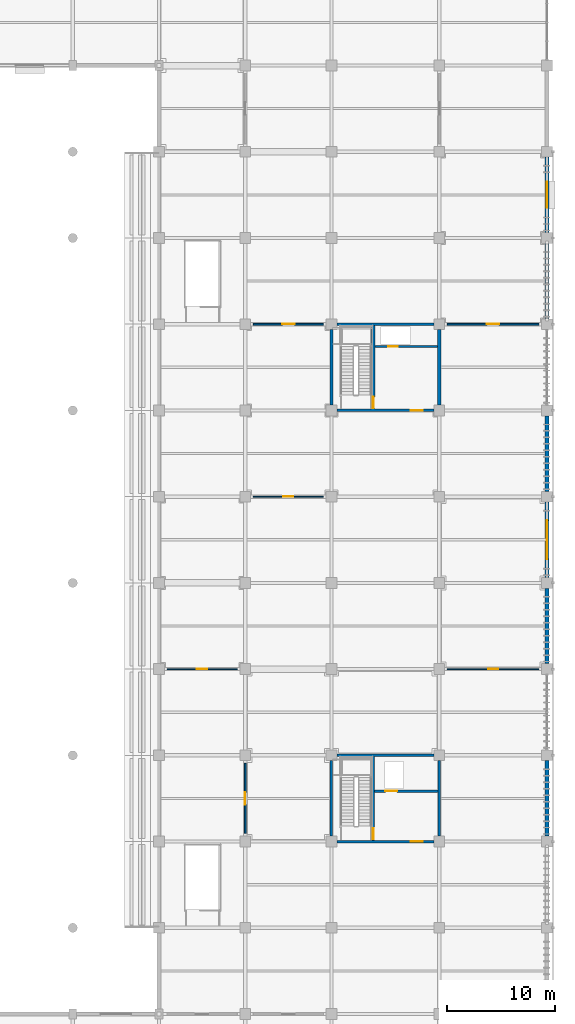
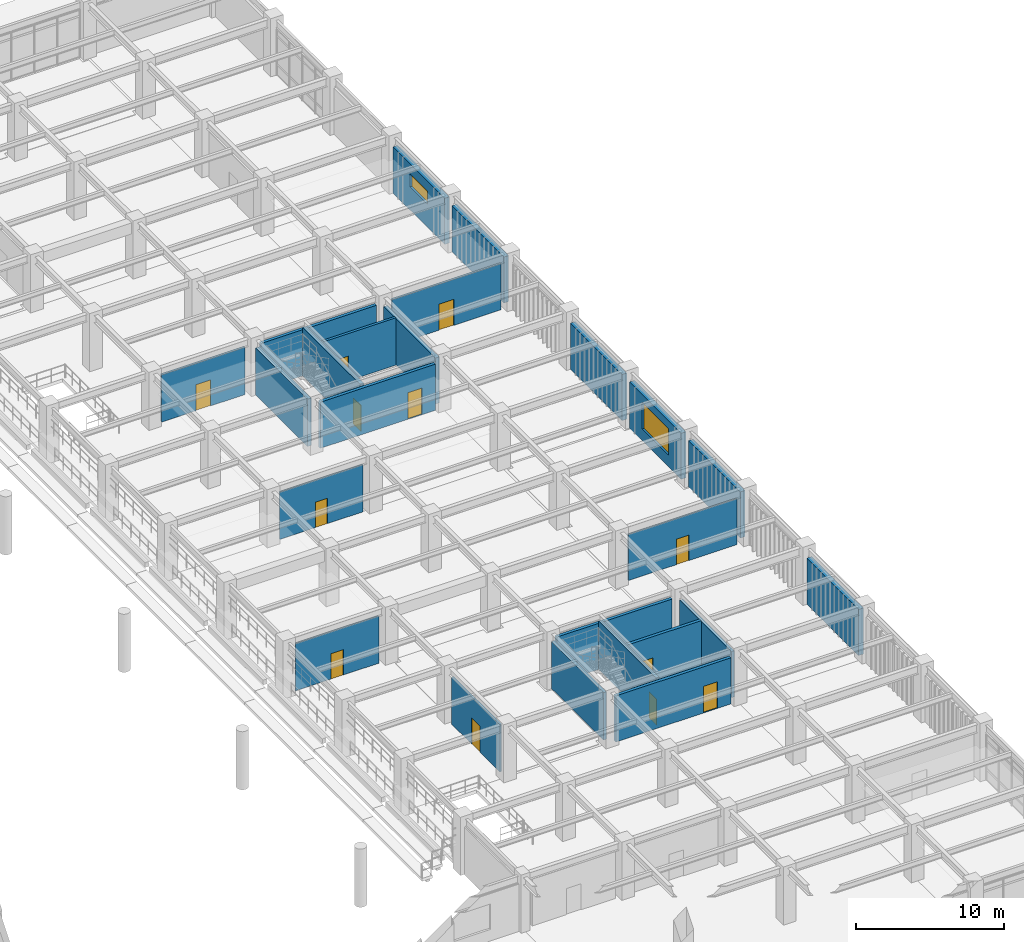
# One storey, part 80 of 117: 24 walls, 12 doors, 2 windows, 14 openings.
"""IFC4 building model written with IfcOpenShell, lengths in metres."""

import ifcopenshell
import ifcopenshell.guid

model = None  # the IFC model being written
_history = None  # IfcOwnerHistory: only IFC2X3 demands one
_inside = {}  # id of a spatial element -> (the spatial element, [elements in it])
_under = {}  # id of a project, library or spatial element -> (it, [spatial elements below it])
_declared = {}  # id of a project -> (the project, [libraries it declares])
_typed = {}  # id of a type object -> (the type object, [elements of that type])
_made_of = {}  # id of a material, layer set ... -> (it, [elements and type objects made of it])


def new_model(schema):
    """Start an empty IFC model of exactly this schema.

    Asked for "IFC4X3", IfcOpenShell would pick the latest addendum, in which some entities
    have other attributes; the version numbers below select the first issue.
    IFC2X3 requires an IfcOwnerHistory on every rooted entity: one is made here for all.
    """
    global model, _history
    if schema == "IFC4X3":
        model = ifcopenshell.file(schema_version=(4, 3, 0, 0))
    else:
        model = ifcopenshell.file(schema=schema)
    _inside.clear()
    _under.clear()
    _declared.clear()
    _typed.clear()
    _made_of.clear()
    _history = None
    if model.schema == "IFC2X3":
        org = make("IfcOrganization", Name="unknown")
        user = make(
            "IfcPersonAndOrganization",
            ThePerson=make("IfcPerson", FamilyName="unknown"),
            TheOrganization=org,
        )
        app = make(
            "IfcApplication",
            ApplicationDeveloper=org,
            Version="unknown",
            ApplicationFullName="unknown",
            ApplicationIdentifier="unknown",
        )
        _history = make(
            "IfcOwnerHistory",
            OwningUser=user,
            OwningApplication=app,
            ChangeAction="ADDED",
            CreationDate=0,
        )
    return model


def make(cls, **values):
    """One entity of the class cls with the attributes given. An attribute that is None is left unset."""
    return model.create_entity(
        cls, **{name: value for name, value in values.items() if value is not None}
    )


def rooted(cls, **values):
    """An entity with a GlobalId (a new one), such as an element, a storey or a relation."""
    return make(cls, GlobalId=ifcopenshell.guid.new(), OwnerHistory=_history, **values)


def si_unit(unit_type, name, prefix=None):
    """IfcSIUnit, for example si_unit("LENGTHUNIT", "METRE", prefix="MILLI")."""
    return make("IfcSIUnit", UnitType=unit_type, Prefix=prefix, Name=name)


def assignment(units):
    """IfcUnitAssignment: the units of a project."""
    return None if units is None else make("IfcUnitAssignment", Units=units)


def point(xyz):
    """IfcCartesianPoint."""
    return None if xyz is None else make("IfcCartesianPoint", Coordinates=xyz)


def direction(xyz):
    """IfcDirection."""
    return None if xyz is None else make("IfcDirection", DirectionRatios=xyz)


def frame(location, z_axis=None, x_axis=None):
    """IfcAxis2Placement3D, a coordinate frame: its origin and axes. An axis left out is left unset."""
    return make(
        "IfcAxis2Placement3D",
        Location=point(location),
        Axis=direction(z_axis),
        RefDirection=direction(x_axis),
    )


def frame_2d(location, x_axis=None):
    """IfcAxis2Placement2D, a coordinate frame in the plane: its origin and x axis."""
    return make(
        "IfcAxis2Placement2D", Location=point(location), RefDirection=direction(x_axis)
    )


def origin():
    """The frame at (0, 0, 0) with its axes left unset."""
    return frame((0.0, 0.0, 0.0))


def place(relative_to, where):
    """IfcLocalPlacement: puts the frame where relative to a parent placement (None: the world)."""
    return make(
        "IfcLocalPlacement", PlacementRelTo=relative_to, RelativePlacement=where
    )


def context(
    kind, dimensions, precision=None, world=None, true_north=None, identifier=None
):
    """IfcGeometricRepresentationContext, for example the 3D "Model" context."""
    return make(
        "IfcGeometricRepresentationContext",
        ContextIdentifier=identifier,
        ContextType=kind,
        CoordinateSpaceDimension=dimensions,
        Precision=precision,
        WorldCoordinateSystem=world,
        TrueNorth=true_north,
    )


def subcontext(parent, identifier, kind, view, scale=None):
    """IfcGeometricRepresentationSubContext, for example "Body" below "Model"."""
    return make(
        "IfcGeometricRepresentationSubContext",
        ContextIdentifier=identifier,
        ContextType=kind,
        ParentContext=parent,
        TargetScale=scale,
        TargetView=view,
    )


def project(units=None, contexts=None):
    """IfcProject with its units and contexts."""
    return rooted(
        "IfcProject",
        Name="project",
        RepresentationContexts=contexts,
        UnitsInContext=assignment(units),
    )


def spatial(cls, under=None, at=None, **own):
    """A site, building, storey or space (cls), placed at a placement, below another one or the project."""
    s = rooted(cls, ObjectPlacement=at, **own)
    if under is not None:
        _under.setdefault(under.id(), (under, []))[1].append(s)
    return s


def profile(cls, at=None, kind="AREA", **sizes):
    """A parametric profile (cls). Its sizes go by their IFC names, for example OverallWidth=200.0."""
    return make(cls, ProfileType=kind, Position=at, **sizes)


def rectangle(**sizes):
    """IfcRectangleProfileDef."""
    return profile("IfcRectangleProfileDef", **sizes)


def extrude(swept, where, along, depth):
    """IfcExtrudedAreaSolid: the profile swept, set in the frame where, extruded along a direction by depth."""
    return make(
        "IfcExtrudedAreaSolid",
        SweptArea=swept,
        Position=where,
        ExtrudedDirection=direction(along),
        Depth=depth,
    )


def shape(context_of_items, identifier, shape_type, items):
    """IfcShapeRepresentation: the items that make up one representation, for example the "Body"."""
    return make(
        "IfcShapeRepresentation",
        ContextOfItems=context_of_items,
        RepresentationIdentifier=identifier,
        RepresentationType=shape_type,
        Items=items,
    )


def material(Name=None, Category=None):
    """IfcMaterial."""
    return make("IfcMaterial", Name=Name, Category=Category)


def layer(
    of_material, thickness, ventilated=None, Name=None, Category=None, Priority=None
):
    """IfcMaterialLayer: one layer of a wall or slab, of a material (None: an air gap)."""
    return make(
        "IfcMaterialLayer",
        Material=of_material,
        LayerThickness=thickness,
        IsVentilated=ventilated,
        Name=Name,
        Category=Category,
        Priority=Priority,
    )


def layer_set(layers, Name=None):
    """IfcMaterialLayerSet."""
    return make("IfcMaterialLayerSet", MaterialLayers=layers, LayerSetName=Name)


def made_of(thing, what):
    """Note that an element or type object is made of a material, layer set ...; save() writes the relation."""
    if what is not None:
        _made_of.setdefault(what.id(), (what, []))[1].append(thing)
    return thing


def type_object(cls, material=None, **own):
    """A type object (cls), such as IfcWallType, which elements share."""
    return made_of(rooted(cls, **own), material)


def element(
    cls,
    number,
    at=None,
    inside=None,
    cuts=None,
    type_object=None,
    material=None,
    context=None,
    identifier="Body",
    shape_type=None,
    held_by="IfcProductDefinitionShape",
    body=None,
    shapes=None,
    **own,
):
    """One element of the class cls, such as IfcWall. Its Tag is "e" and its number.

    at: its placement. inside: the storey or other place that contains it. cuts: it is an
    opening in that element (IfcRelVoidsElement). A single representation is given by context,
    identifier, shape_type and body (its items); several are given by shapes. held_by: the class
    of the entity that holds the representations. save() writes the other relations.
    """
    e = rooted(cls, Tag="e%d" % number, ObjectPlacement=at, **own)
    if body is not None:
        shapes = [shape(context, identifier, shape_type, body)]
    if shapes is not None:
        e.Representation = make(held_by, Representations=shapes)
    if inside is not None:
        _inside.setdefault(inside.id(), (inside, []))[1].append(e)
    if cuts is not None:
        rooted(
            "IfcRelVoidsElement", RelatingBuildingElement=cuts, RelatedOpeningElement=e
        )
    if type_object is not None:
        _typed.setdefault(type_object.id(), (type_object, []))[1].append(e)
    return made_of(e, material)


def fill(opening, filler):
    """IfcRelFillsElement: the door or window that sits in an opening."""
    return rooted(
        "IfcRelFillsElement",
        RelatingOpeningElement=opening,
        RelatedBuildingElement=filler,
    )


def aggregate(whole, parts):
    """IfcRelAggregates: a whole, such as a stair, and the parts it consists of."""
    return rooted("IfcRelAggregates", RelatingObject=whole, RelatedObjects=parts)


def save(model, path):
    """Write the relations noted so far, then the file.

    IfcRelAggregates (storeys below a building ...), IfcRelContainedInSpatialStructure (elements
    in a storey), IfcRelDefinesByType, IfcRelAssociatesMaterial and IfcRelDeclares: one each for
    every whole, place, type object, material and project.
    """
    for whole, parts in _under.values():
        aggregate(whole, parts)
    for where, things in _inside.values():
        rooted(
            "IfcRelContainedInSpatialStructure",
            RelatedElements=things,
            RelatingStructure=where,
        )
    for kind, things in _typed.values():
        rooted("IfcRelDefinesByType", RelatedObjects=things, RelatingType=kind)
    for what, things in _made_of.values():
        rooted("IfcRelAssociatesMaterial", RelatedObjects=things, RelatingMaterial=what)
    for by, libraries in _declared.values():
        rooted("IfcRelDeclares", RelatingContext=by, RelatedDefinitions=libraries)
    model.write(path)


model = new_model("IFC4")

# Units and contexts
model_context = context("Model", 3, precision=1e-05, world=origin(), true_north=direction((0.0, 1.0)))
body_context = subcontext(model_context, "Body", "Model", "MODEL_VIEW")
ifc_project = project(units=[si_unit("LENGTHUNIT", "METRE"), si_unit("AREAUNIT", "SQUARE_METRE"), si_unit("VOLUMEUNIT", "CUBIC_METRE"), si_unit("PLANEANGLEUNIT", "RADIAN"), si_unit("MASSUNIT", "GRAM", prefix="KILO")], contexts=[model_context])

# Site, building, storey
site_placement = place(None, origin())
site = spatial("IfcSite", under=ifc_project, at=site_placement, CompositionType="ELEMENT")
building_placement = place(site_placement, origin())
building = spatial("IfcBuilding", under=site, at=building_placement, Name="Haebicheon Civic Stadium", CompositionType="ELEMENT")
storey_placement = place(building_placement, frame((0.0, 0.0, 4.800048828125)))
storey = spatial("IfcBuildingStorey", under=building, at=storey_placement, Name="L02", CompositionType="ELEMENT", Elevation=4.800048828125)

# Wall, opening, door
ifc_material_1 = material(Name="Concrete C40/50", Category="concrete")
ifc_layer_1 = layer(ifc_material_1, 0.239990234375, Name="Concrete C40/50")
ifc_layer_set_1 = layer_set([ifc_layer_1], Name="Concrete C40/50")
wall_type_1 = type_object("IfcWallType", Name="CW-SHR-240", PredefinedType="SHEAR", material=ifc_layer_set_1)
wall_1_placement = place(storey_placement, frame((216.5, 64.0, 0.0), z_axis=(0.0, 0.0, 1.0), x_axis=(1.0, 0.0, 0.0)))
wall_1 = element("IfcWall", 1, at=wall_1_placement, inside=storey, type_object=wall_type_1, material=ifc_layer_set_1, Name="KC-12 L02 south core shear wall", PredefinedType="SHEAR", context=body_context, shape_type="SweptSolid", body=[
    extrude(rectangle(XDim=9.0, YDim=0.239990234375, at=frame_2d((4.5, 0.0))), origin(), (0.0, 0.0, 1.0), 3.81005859375),
])
opening_1_placement = place(wall_1_placement, frame((6.85009765625, 0.0, 0.0)))
opening_1 = element("IfcOpeningElement", 2, at=opening_1_placement, cuts=wall_1, Name="Opening D-L02-KC-12-LOB", PredefinedType="OPENING", context=body_context, shape_type="SweptSolid", body=[
    extrude(rectangle(XDim=1.10009765625, YDim=2.199951171875, at=frame_2d((0.550048828125, 1.10009765625))), frame((0.0, 0.1298828125, 0.0), z_axis=(0.0, -1.0, 0.0), x_axis=(1.0, 0.0, 0.0)), (0.0, 0.0, 1.0), 0.260009765625),
])
ifc_material_2 = material(Name="Galvanised painted steel SM355", Category="steel")
door_type_1 = type_object("IfcDoorType", Name="ID-FD-1100", OperationType="NOTDEFINED", PredefinedType="DOOR", material=ifc_material_2)
door_1_placement = place(opening_1_placement, origin())
door_1 = element("IfcDoor", 3, at=door_1_placement, inside=storey, type_object=door_type_1, material=ifc_material_2, Name="L02 KC-12 lobby fire door", OperationType="SINGLE_SWING_LEFT", OverallHeight=2.199951171875, OverallWidth=1.10009765625, PredefinedType="DOOR", context=body_context, shape_type="SweptSolid", body=[
    extrude(rectangle(XDim=1.10009765625, YDim=2.199951171875, at=frame_2d((0.550048828125, 1.10009765625))), frame((0.0, 0.02490234375, 0.0), z_axis=(0.0, -1.0, 0.0), x_axis=(1.0, 0.0, 0.0)), (0.0, 0.0, 1.0), 0.050048828125),
])
fill(opening_1, door_1)

# Walls
wall_2_placement = place(storey_placement, frame((216.5, 72.0, 0.0), z_axis=(0.0, 0.0, 1.0), x_axis=(1.0, 0.0, 0.0)))
element("IfcWall", 4, at=wall_2_placement, inside=storey, type_object=wall_type_1, material=ifc_layer_set_1, Name="KC-12 L02 north core shear wall", PredefinedType="SHEAR", context=body_context, shape_type="SweptSolid", body=[
    extrude(rectangle(XDim=9.0, YDim=0.239990234375, at=frame_2d((4.5, 0.0))), origin(), (0.0, 0.0, 1.0), 3.81005859375),
])
wall_3_placement = place(storey_placement, frame((216.0, 64.5, 0.0), z_axis=(0.0, 0.0, 1.0), x_axis=(0.0, 1.0, 0.0)))
element("IfcWall", 5, at=wall_3_placement, inside=storey, type_object=wall_type_1, material=ifc_layer_set_1, Name="KC-12 L02 west core shear wall", PredefinedType="SHEAR", context=body_context, shape_type="SweptSolid", body=[
    extrude(rectangle(XDim=7.0, YDim=0.239990234375, at=frame_2d((3.5, 0.0))), origin(), (0.0, 0.0, 1.0), 3.909912109375),
])
wall_4_placement = place(storey_placement, frame((226.0, 64.5, 0.0), z_axis=(0.0, 0.0, 1.0), x_axis=(0.0, 1.0, 0.0)))
element("IfcWall", 6, at=wall_4_placement, inside=storey, type_object=wall_type_1, material=ifc_layer_set_1, Name="KC-12 L02 east core shear wall", PredefinedType="SHEAR", context=body_context, shape_type="SweptSolid", body=[
    extrude(rectangle(XDim=7.0, YDim=0.239990234375, at=frame_2d((3.5, 0.0))), origin(), (0.0, 0.0, 1.0), 3.81005859375),
])

# Wall, opening, door
wall_5_placement = place(storey_placement, frame((219.8798828125, 64.1201171875, 0.0), z_axis=(0.0, 0.0, 1.0), x_axis=(0.0, 1.0, 0.0)))
wall_5 = element("IfcWall", 7, at=wall_5_placement, inside=storey, type_object=wall_type_1, material=ifc_layer_set_1, Name="KC-12 L02 stair-lobby dividing shear wall", PredefinedType="SHEAR", context=body_context, shape_type="SweptSolid", body=[
    extrude(rectangle(XDim=7.759765625, YDim=0.239990234375, at=frame_2d((3.8798828125, 0.0))), origin(), (0.0, 0.0, 1.0), 4.010009765625),
])
opening_2_placement = place(wall_5_placement, frame((0.080078125, 0.0, 0.0)))
opening_2 = element("IfcOpeningElement", 8, at=opening_2_placement, cuts=wall_5, Name="Opening D-L02-KC-12-STR", PredefinedType="OPENING", context=body_context, shape_type="SweptSolid", body=[
    extrude(rectangle(XDim=1.050048828125, YDim=2.14990234375, at=frame_2d((0.52490234375, 1.074951171875))), frame((0.0, 0.1298828125, 0.0), z_axis=(0.0, -1.0, 0.0), x_axis=(1.0, 0.0, 0.0)), (0.0, 0.0, 1.0), 0.260009765625),
])
ifc_material_3 = material(Name="Galvanised painted steel SM355", Category="steel")
door_type_2 = type_object("IfcDoorType", Name="ID-FD-1050", OperationType="NOTDEFINED", PredefinedType="DOOR", material=ifc_material_3)
door_2_placement = place(opening_2_placement, origin())
door_2 = element("IfcDoor", 9, at=door_2_placement, inside=storey, type_object=door_type_2, material=ifc_material_3, Name="L02 ST-12 stairwell escape door", OperationType="SINGLE_SWING_RIGHT", OverallHeight=2.14990234375, OverallWidth=1.050048828125, PredefinedType="DOOR", context=body_context, shape_type="SweptSolid", body=[
    extrude(rectangle(XDim=1.050048828125, YDim=2.14990234375, at=frame_2d((0.52490234375, 1.074951171875))), frame((0.0, 0.02490234375, 0.0), z_axis=(0.0, -1.0, 0.0), x_axis=(1.0, 0.0, 0.0)), (0.0, 0.0, 1.0), 0.050048828125),
])
fill(opening_2, door_2)

wall_6_placement = place(storey_placement, frame((220.0, 68.679931640625, 0.0), z_axis=(0.0, 0.0, 1.0), x_axis=(1.0, 0.0, 0.0)))
wall_6 = element("IfcWall", 10, at=wall_6_placement, inside=storey, type_object=wall_type_1, material=ifc_layer_set_1, Name="KC-12 L02 lift shaft front wall", PredefinedType="SHEAR", context=body_context, shape_type="SweptSolid", body=[
    extrude(rectangle(XDim=5.8798828125, YDim=0.239990234375, at=frame_2d((2.93994140625, 0.0))), origin(), (0.0, 0.0, 1.0), 3.909912109375),
])
opening_3_placement = place(wall_6_placement, frame((1.0, 0.0, 0.0)))
opening_3 = element("IfcOpeningElement", 11, at=opening_3_placement, cuts=wall_6, Name="Opening LD-09-L02", PredefinedType="OPENING", context=body_context, shape_type="SweptSolid", body=[
    extrude(rectangle(XDim=1.10009765625, YDim=2.14990234375, at=frame_2d((0.550048828125, 1.074951171875))), frame((0.0, 0.1298828125, 0.0), z_axis=(0.0, -1.0, 0.0), x_axis=(1.0, 0.0, 0.0)), (0.0, 0.0, 1.0), 0.260009765625),
])
ifc_material_4 = material(Name="Stainless steel 316", Category="steel")
door_type_3 = type_object("IfcDoorType", Name="ID-LD-1100", OperationType="NOTDEFINED", PredefinedType="DOOR", material=ifc_material_4)
door_3_placement = place(opening_3_placement, origin())
door_3 = element("IfcDoor", 12, at=door_3_placement, inside=storey, type_object=door_type_3, material=ifc_material_4, Name="LF-09 lift landing sliding door L02", OperationType="SLIDING_TO_LEFT", OverallHeight=2.14990234375, OverallWidth=1.10009765625, PredefinedType="DOOR", context=body_context, shape_type="SweptSolid", body=[
    extrude(rectangle(XDim=1.10009765625, YDim=2.14990234375, at=frame_2d((0.550048828125, 1.074951171875))), frame((0.0, 0.02490234375, 0.0), z_axis=(0.0, -1.0, 0.0), x_axis=(1.0, 0.0, 0.0)), (0.0, 0.0, 1.0), 0.050048828125),
])
fill(opening_3, door_3)

wall_7_placement = place(storey_placement, frame((216.5, 104.0, 0.0), z_axis=(0.0, 0.0, 1.0), x_axis=(1.0, 0.0, 0.0)))
wall_7 = element("IfcWall", 13, at=wall_7_placement, inside=storey, type_object=wall_type_1, material=ifc_layer_set_1, Name="KC-13 L02 south core shear wall", PredefinedType="SHEAR", context=body_context, shape_type="SweptSolid", body=[
    extrude(rectangle(XDim=9.0, YDim=0.239990234375, at=frame_2d((4.5, 0.0))), origin(), (0.0, 0.0, 1.0), 3.81005859375),
])
opening_4_placement = place(wall_7_placement, frame((6.85009765625, 0.0, 0.0)))
opening_4 = element("IfcOpeningElement", 14, at=opening_4_placement, cuts=wall_7, Name="Opening D-L02-KC-13-LOB", PredefinedType="OPENING", context=body_context, shape_type="SweptSolid", body=[
    extrude(rectangle(XDim=1.10009765625, YDim=2.199951171875, at=frame_2d((0.550048828125, 1.10009765625))), frame((0.0, 0.1298828125, 0.0), z_axis=(0.0, -1.0, 0.0), x_axis=(1.0, 0.0, 0.0)), (0.0, 0.0, 1.0), 0.260009765625),
])
door_4_placement = place(opening_4_placement, origin())
door_4 = element("IfcDoor", 15, at=door_4_placement, inside=storey, type_object=door_type_1, material=ifc_material_2, Name="L02 KC-13 lobby fire door", OperationType="SINGLE_SWING_RIGHT", OverallHeight=2.199951171875, OverallWidth=1.10009765625, PredefinedType="DOOR", context=body_context, shape_type="SweptSolid", body=[
    extrude(rectangle(XDim=1.10009765625, YDim=2.199951171875, at=frame_2d((0.550048828125, 1.10009765625))), frame((0.0, 0.02490234375, 0.0), z_axis=(0.0, -1.0, 0.0), x_axis=(1.0, 0.0, 0.0)), (0.0, 0.0, 1.0), 0.050048828125),
])
fill(opening_4, door_4)

# Walls
wall_8_placement = place(storey_placement, frame((216.5, 112.0, 0.0), z_axis=(0.0, 0.0, 1.0), x_axis=(1.0, 0.0, 0.0)))
element("IfcWall", 16, at=wall_8_placement, inside=storey, type_object=wall_type_1, material=ifc_layer_set_1, Name="KC-13 L02 north core shear wall", PredefinedType="SHEAR", context=body_context, shape_type="SweptSolid", body=[
    extrude(rectangle(XDim=9.0, YDim=0.239990234375, at=frame_2d((4.5, 0.0))), origin(), (0.0, 0.0, 1.0), 3.81005859375),
])
ifc_material_5 = material(Name="Concrete C40/50", Category="concrete")
ifc_layer_2 = layer(ifc_material_5, 0.300048828125, Name="Concrete C40/50")
ifc_layer_set_2 = layer_set([ifc_layer_2], Name="Concrete C40/50")
wall_type_2 = type_object("IfcWallType", Name="CW-SHR-300", PredefinedType="SHEAR", material=ifc_layer_set_2)
wall_9_placement = place(storey_placement, frame((216.0, 104.5, 0.0), z_axis=(0.0, 0.0, 1.0), x_axis=(0.0, 1.0, 0.0)))
element("IfcWall", 17, at=wall_9_placement, inside=storey, type_object=wall_type_2, material=ifc_layer_set_2, Name="KC-13 L02 west core shear wall", PredefinedType="SHEAR", context=body_context, shape_type="SweptSolid", body=[
    extrude(rectangle(XDim=7.0, YDim=0.300048828125, at=frame_2d((3.5, 0.0))), origin(), (0.0, 0.0, 1.0), 3.909912109375),
])
wall_10_placement = place(storey_placement, frame((226.0, 104.5, 0.0), z_axis=(0.0, 0.0, 1.0), x_axis=(0.0, 1.0, 0.0)))
element("IfcWall", 18, at=wall_10_placement, inside=storey, type_object=wall_type_2, material=ifc_layer_set_2, Name="KC-13 L02 east core shear wall", PredefinedType="SHEAR", context=body_context, shape_type="SweptSolid", body=[
    extrude(rectangle(XDim=7.0, YDim=0.300048828125, at=frame_2d((3.5, 0.0))), origin(), (0.0, 0.0, 1.0), 3.81005859375),
])

# Wall, opening, door
wall_11_placement = place(storey_placement, frame((219.8798828125, 104.1201171875, 0.0), z_axis=(0.0, 0.0, 1.0), x_axis=(0.0, 1.0, 0.0)))
wall_11 = element("IfcWall", 19, at=wall_11_placement, inside=storey, type_object=wall_type_2, material=ifc_layer_set_2, Name="KC-13 L02 stair-lobby dividing shear wall", PredefinedType="SHEAR", context=body_context, shape_type="SweptSolid", body=[
    extrude(rectangle(XDim=7.759765625, YDim=0.300048828125, at=frame_2d((3.8798828125, 0.0))), origin(), (0.0, 0.0, 1.0), 4.010009765625),
])
opening_5_placement = place(wall_11_placement, frame((0.080078125, 0.0, 0.0)))
opening_5 = element("IfcOpeningElement", 20, at=opening_5_placement, cuts=wall_11, Name="Opening D-L02-KC-13-STR", PredefinedType="OPENING", context=body_context, shape_type="SweptSolid", body=[
    extrude(rectangle(XDim=1.050048828125, YDim=2.14990234375, at=frame_2d((0.52490234375, 1.074951171875))), frame((0.0, 0.159912109375, 0.0), z_axis=(0.0, -1.0, 0.0), x_axis=(1.0, 0.0, 0.0)), (0.0, 0.0, 1.0), 0.320068359375),
])
door_5_placement = place(opening_5_placement, origin())
door_5 = element("IfcDoor", 21, at=door_5_placement, inside=storey, type_object=door_type_2, material=ifc_material_3, Name="L02 ST-13 stairwell escape door", OperationType="SINGLE_SWING_LEFT", OverallHeight=2.14990234375, OverallWidth=1.050048828125, PredefinedType="DOOR", context=body_context, shape_type="SweptSolid", body=[
    extrude(rectangle(XDim=1.050048828125, YDim=2.14990234375, at=frame_2d((0.52490234375, 1.074951171875))), frame((0.0, 0.02490234375, 0.0), z_axis=(0.0, -1.0, 0.0), x_axis=(1.0, 0.0, 0.0)), (0.0, 0.0, 1.0), 0.050048828125),
])
fill(opening_5, door_5)

# Walls
ifc_material_6 = material(Name="Concrete C40/50", Category="concrete")
ifc_layer_3 = layer(ifc_material_6, 0.3798828125, Name="Concrete C40/50")
ifc_layer_set_3 = layer_set([ifc_layer_3], Name="Concrete C40/50")
wall_type_3 = type_object("IfcWallType", Name="EW-BM-380", PredefinedType="SOLIDWALL", material=ifc_layer_set_3)
for number, where, z_axis, x_axis, name in (
    (22, (236.0, 64.5, 0.0), (0.0, 0.0, 1.0), (0.0, 1.0, 0.0), "L02 board-marked concrete facade wall 29-08-E"),
    (23, (236.0, 80.5, 0.0), (0.0, 0.0, 1.0), (0.0, 1.0, 0.0), "L02 board-marked concrete facade wall 29-10-E"),
):
    element("IfcWall", number, at=place(storey_placement, frame(where, z_axis=z_axis, x_axis=x_axis)), inside=storey, type_object=wall_type_3, material=ifc_layer_set_3, Name=name, PredefinedType="SOLIDWALL", context=body_context, shape_type="SweptSolid", body=[
        extrude(rectangle(XDim=7.0, YDim=0.3798828125, at=frame_2d((3.5, 0.0))), origin(), (0.0, 0.0, 1.0), 3.81005859375),
    ])

# Wall, opening, window
wall_12_placement = place(storey_placement, frame((236.0, 88.5, 0.0), z_axis=(0.0, 0.0, 1.0), x_axis=(0.0, 1.0, 0.0)))
wall_12 = element("IfcWall", 24, at=wall_12_placement, inside=storey, type_object=wall_type_3, material=ifc_layer_set_3, Name="L02 board-marked concrete facade wall 29-11-E", PredefinedType="SOLIDWALL", context=body_context, shape_type="SweptSolid", body=[
    extrude(rectangle(XDim=7.0, YDim=0.3798828125, at=frame_2d((3.5, 0.0))), origin(), (0.0, 0.0, 1.0), 3.81005859375),
])
opening_6_placement = place(wall_12_placement, frame((1.699951171875, 0.0, 0.949951171875)))
opening_6 = element("IfcOpeningElement", 25, at=opening_6_placement, cuts=wall_12, Name="Opening WIN-360x220", PredefinedType="OPENING", context=body_context, shape_type="SweptSolid", body=[
    extrude(rectangle(XDim=3.60009765625, YDim=2.199951171875, at=frame_2d((1.800048828125, 1.10009765625))), frame((0.0, 0.199951171875, 0.0), z_axis=(0.0, -1.0, 0.0), x_axis=(1.0, 0.0, 0.0)), (0.0, 0.0, 1.0), 0.39990234375),
])
ifc_material_7 = material(Name="Anodised aluminium and laminated glass", Category="aluminium")
window_type_1 = type_object("IfcWindowType", Name="WIN-360x220", PartitioningType="SINGLE_PANEL", PredefinedType="WINDOW", material=ifc_material_7)
window_1_placement = place(opening_6_placement, origin())
window_1 = element("IfcWindow", 26, at=window_1_placement, inside=storey, type_object=window_type_1, material=ifc_material_7, Name="L02 facade window 063", OverallHeight=2.199951171875, OverallWidth=3.60009765625, PartitioningType="SINGLE_PANEL", PredefinedType="WINDOW", context=body_context, shape_type="SweptSolid", body=[
    extrude(rectangle(XDim=3.60009765625, YDim=2.199951171875, at=frame_2d((1.800048828125, 1.10009765625))), frame((0.0, 0.030029296875, 0.0), z_axis=(0.0, -1.0, 0.0), x_axis=(1.0, 0.0, 0.0)), (0.0, 0.0, 1.0), 0.06005859375),
])
fill(opening_6, window_1)

# Walls
for number, where, z_axis, x_axis, name in (
    (27, (236.0, 96.5, 0.0), (0.0, 0.0, 1.0), (0.0, 1.0, 0.0), "L02 board-marked concrete facade wall 29-12-E"),
    (28, (236.0, 112.5, 0.0), (0.0, 0.0, 1.0), (0.0, 1.0, 0.0), "L02 board-marked concrete facade wall 29-14-E"),
):
    element("IfcWall", number, at=place(storey_placement, frame(where, z_axis=z_axis, x_axis=x_axis)), inside=storey, type_object=wall_type_3, material=ifc_layer_set_3, Name=name, PredefinedType="SOLIDWALL", context=body_context, shape_type="SweptSolid", body=[
        extrude(rectangle(XDim=7.0, YDim=0.3798828125, at=frame_2d((3.5, 0.0))), origin(), (0.0, 0.0, 1.0), 3.81005859375),
    ])

# Wall, opening, window
wall_13_placement = place(storey_placement, frame((236.0, 120.5, 0.0), z_axis=(0.0, 0.0, 1.0), x_axis=(0.0, 1.0, 0.0)))
wall_13 = element("IfcWall", 29, at=wall_13_placement, inside=storey, type_object=wall_type_3, material=ifc_layer_set_3, Name="L02 board-marked concrete facade wall 29-15-E", PredefinedType="SOLIDWALL", context=body_context, shape_type="SweptSolid", body=[
    extrude(rectangle(XDim=7.0, YDim=0.3798828125, at=frame_2d((3.5, 0.0))), origin(), (0.0, 0.0, 1.0), 3.81005859375),
])
opening_7_placement = place(wall_13_placement, frame((2.300048828125, 0.0, 1.89990234375)))
opening_7 = element("IfcOpeningElement", 30, at=opening_7_placement, cuts=wall_13, Name="Opening WIN-240x110", PredefinedType="OPENING", context=body_context, shape_type="SweptSolid", body=[
    extrude(rectangle(XDim=2.39990234375, YDim=1.10009765625, at=frame_2d((1.199951171875, 0.550048828125))), frame((0.0, 0.199951171875, 0.0), z_axis=(0.0, -1.0, 0.0), x_axis=(1.0, 0.0, 0.0)), (0.0, 0.0, 1.0), 0.39990234375),
])
ifc_material_8 = material(Name="Anodised aluminium and laminated glass", Category="aluminium")
window_type_2 = type_object("IfcWindowType", Name="WIN-240x110", PartitioningType="SINGLE_PANEL", PredefinedType="LIGHTDOME", material=ifc_material_8)
window_2_placement = place(opening_7_placement, origin())
window_2 = element("IfcWindow", 31, at=window_2_placement, inside=storey, type_object=window_type_2, material=ifc_material_8, Name="L02 facade window 064", OverallHeight=1.10009765625, OverallWidth=2.39990234375, PartitioningType="SINGLE_PANEL", PredefinedType="LIGHTDOME", context=body_context, shape_type="SweptSolid", body=[
    extrude(rectangle(XDim=2.39990234375, YDim=1.10009765625, at=frame_2d((1.199951171875, 0.550048828125))), frame((0.0, 0.030029296875, 0.0), z_axis=(0.0, -1.0, 0.0), x_axis=(1.0, 0.0, 0.0)), (0.0, 0.0, 1.0), 0.06005859375),
])
fill(opening_7, window_2)

# Wall, opening, door
ifc_material_9 = material(Name="Concrete C35/45", Category="concrete")
ifc_layer_4 = layer(ifc_material_9, 0.199951171875, Name="Concrete C35/45")
ifc_layer_set_4 = layer_set([ifc_layer_4], Name="Concrete C35/45")
wall_type_4 = type_object("IfcWallType", Name="IW-FIR-200", PredefinedType="PARTITIONING", material=ifc_layer_set_4)
wall_14_placement = place(storey_placement, frame((220.030029296875, 109.919921875, 0.0), z_axis=(0.0, 0.0, 1.0), x_axis=(1.0, 0.0, 0.0)))
wall_14 = element("IfcWall", 32, at=wall_14_placement, inside=storey, type_object=wall_type_4, material=ifc_layer_set_4, Name="KC-13 L02 service riser wall", PredefinedType="PARTITIONING", context=body_context, shape_type="SweptSolid", body=[
    extrude(rectangle(XDim=5.820068359375, YDim=0.199951171875, at=frame_2d((2.91015625, 0.0))), origin(), (0.0, 0.0, 1.0), 3.909912109375),
])
opening_8_placement = place(wall_14_placement, frame((1.25, 0.0, 0.0)))
opening_8 = element("IfcOpeningElement", 33, at=opening_8_placement, cuts=wall_14, Name="Opening D-L02-KC-13-RSR", PredefinedType="OPENING", context=body_context, shape_type="SweptSolid", body=[
    extrude(rectangle(XDim=0.85009765625, YDim=2.050048828125, at=frame_2d((0.425048828125, 1.02490234375))), frame((0.0, 0.10986328125, 0.0), z_axis=(0.0, -1.0, 0.0), x_axis=(1.0, 0.0, 0.0)), (0.0, 0.0, 1.0), 0.219970703125),
])
ifc_material_10 = material(Name="Galvanised painted steel SM355", Category="steel")
door_type_4 = type_object("IfcDoorType", Name="ID-RSR-0850", OperationType="NOTDEFINED", PredefinedType="TRAPDOOR", material=ifc_material_10)
door_6_placement = place(opening_8_placement, origin())
door_6 = element("IfcDoor", 34, at=door_6_placement, inside=storey, type_object=door_type_4, material=ifc_material_10, Name="L02 KC-13 riser access door", OperationType="SINGLE_SWING_RIGHT", OverallHeight=2.050048828125, OverallWidth=0.85009765625, PredefinedType="TRAPDOOR", context=body_context, shape_type="SweptSolid", body=[
    extrude(rectangle(XDim=0.85009765625, YDim=2.050048828125, at=frame_2d((0.425048828125, 1.02490234375))), frame((0.0, 0.02490234375, 0.0), z_axis=(0.0, -1.0, 0.0), x_axis=(1.0, 0.0, 0.0)), (0.0, 0.0, 1.0), 0.050048828125),
])
fill(opening_8, door_6)

ifc_material_11 = material(Name="Anodised aluminium and laminated glass", Category="aluminium")
ifc_layer_5 = layer(ifc_material_11, 0.10009765625, Name="Anodised aluminium and laminated glass")
ifc_layer_set_5 = layer_set([ifc_layer_5], Name="Anodised aluminium and laminated glass")
wall_type_5 = type_object("IfcWallType", Name="IW-PRT-100", PredefinedType="PARTITIONING", material=ifc_layer_set_5)
wall_15_placement = place(storey_placement, frame((200.75, 80.0, 0.0), z_axis=(0.0, 0.0, 1.0), x_axis=(1.0, 0.0, 0.0)))
wall_15 = element("IfcWall", 35, at=wall_15_placement, inside=storey, type_object=wall_type_5, material=ifc_layer_set_5, Name="L02 Sports Rehabilitation Gym partition wall", PredefinedType="PARTITIONING", context=body_context, shape_type="SweptSolid", body=[
    extrude(rectangle(XDim=6.5, YDim=0.10009765625, at=frame_2d((3.25, 0.0))), origin(), (0.0, 0.0, 1.0), 3.909912109375),
])
opening_9_placement = place(wall_15_placement, frame((2.77490234375, 0.0, 0.0)))
opening_9 = element("IfcOpeningElement", 36, at=opening_9_placement, cuts=wall_15, Name="Opening D-L02-221", PredefinedType="OPENING", context=body_context, shape_type="SweptSolid", body=[
    extrude(rectangle(XDim=0.949951171875, YDim=2.10009765625, at=frame_2d((0.47509765625, 1.050048828125))), frame((0.0, 0.06005859375, 0.0), z_axis=(0.0, -1.0, 0.0), x_axis=(1.0, 0.0, 0.0)), (0.0, 0.0, 1.0), 0.1201171875),
])
ifc_material_12 = material(Name="Engineered hardwood timber", Category="wood")
door_type_5 = type_object("IfcDoorType", Name="ID-RM-0950", OperationType="NOTDEFINED", PredefinedType="DOOR", material=ifc_material_12)
door_7_placement = place(opening_9_placement, origin())
door_7 = element("IfcDoor", 37, at=door_7_placement, inside=storey, type_object=door_type_5, material=ifc_material_12, Name="L02 Sports Rehabilitation Gym entrance door D-L02-221", OperationType="SINGLE_SWING_LEFT", OverallHeight=2.10009765625, OverallWidth=0.949951171875, PredefinedType="DOOR", context=body_context, shape_type="SweptSolid", body=[
    extrude(rectangle(XDim=0.949951171875, YDim=2.10009765625, at=frame_2d((0.47509765625, 1.050048828125))), frame((0.0, 0.02490234375, 0.0), z_axis=(0.0, -1.0, 0.0), x_axis=(1.0, 0.0, 0.0)), (0.0, 0.0, 1.0), 0.050048828125),
])
fill(opening_9, door_7)

wall_16_placement = place(storey_placement, frame((208.75, 96.0, 0.0), z_axis=(0.0, 0.0, 1.0), x_axis=(1.0, 0.0, 0.0)))
wall_16 = element("IfcWall", 38, at=wall_16_placement, inside=storey, type_object=wall_type_5, material=ifc_layer_set_5, Name="L02 Sports Rehabilitation Gym partition wall", PredefinedType="PARTITIONING", context=body_context, shape_type="SweptSolid", body=[
    extrude(rectangle(XDim=6.5, YDim=0.10009765625, at=frame_2d((3.25, 0.0))), origin(), (0.0, 0.0, 1.0), 3.909912109375),
])
opening_10_placement = place(wall_16_placement, frame((2.77490234375, 0.0, 0.0)))
opening_10 = element("IfcOpeningElement", 39, at=opening_10_placement, cuts=wall_16, Name="Opening D-L02-225", PredefinedType="OPENING", context=body_context, shape_type="SweptSolid", body=[
    extrude(rectangle(XDim=0.949951171875, YDim=2.10009765625, at=frame_2d((0.47509765625, 1.050048828125))), frame((0.0, 0.06005859375, 0.0), z_axis=(0.0, -1.0, 0.0), x_axis=(1.0, 0.0, 0.0)), (0.0, 0.0, 1.0), 0.1201171875),
])
door_8_placement = place(opening_10_placement, origin())
door_8 = element("IfcDoor", 40, at=door_8_placement, inside=storey, type_object=door_type_5, material=ifc_material_12, Name="L02 Sports Rehabilitation Gym entrance door D-L02-225", OperationType="SINGLE_SWING_LEFT", OverallHeight=2.10009765625, OverallWidth=0.949951171875, PredefinedType="DOOR", context=body_context, shape_type="SweptSolid", body=[
    extrude(rectangle(XDim=0.949951171875, YDim=2.10009765625, at=frame_2d((0.47509765625, 1.050048828125))), frame((0.0, 0.02490234375, 0.0), z_axis=(0.0, -1.0, 0.0), x_axis=(1.0, 0.0, 0.0)), (0.0, 0.0, 1.0), 0.050048828125),
])
fill(opening_10, door_8)

wall_17_placement = place(storey_placement, frame((226.75, 80.0, 0.0), z_axis=(0.0, 0.0, 1.0), x_axis=(1.0, 0.0, 0.0)))
wall_17 = element("IfcWall", 41, at=wall_17_placement, inside=storey, type_object=wall_type_5, material=ifc_layer_set_5, Name="L02 Sports Rehabilitation Gym partition wall", PredefinedType="PARTITIONING", context=body_context, shape_type="SweptSolid", body=[
    extrude(rectangle(XDim=8.5, YDim=0.10009765625, at=frame_2d((4.25, 0.0))), origin(), (0.0, 0.0, 1.0), 3.81005859375),
])
opening_11_placement = place(wall_17_placement, frame((3.77490234375, 0.0, 0.0)))
opening_11 = element("IfcOpeningElement", 42, at=opening_11_placement, cuts=wall_17, Name="Opening D-L02-229", PredefinedType="OPENING", context=body_context, shape_type="SweptSolid", body=[
    extrude(rectangle(XDim=0.949951171875, YDim=2.10009765625, at=frame_2d((0.47509765625, 1.050048828125))), frame((0.0, 0.06005859375, 0.0), z_axis=(0.0, -1.0, 0.0), x_axis=(1.0, 0.0, 0.0)), (0.0, 0.0, 1.0), 0.1201171875),
])
door_9_placement = place(opening_11_placement, origin())
door_9 = element("IfcDoor", 43, at=door_9_placement, inside=storey, type_object=door_type_5, material=ifc_material_12, Name="L02 Sports Rehabilitation Gym entrance door D-L02-229", OperationType="SINGLE_SWING_LEFT", OverallHeight=2.10009765625, OverallWidth=0.949951171875, PredefinedType="DOOR", context=body_context, shape_type="SweptSolid", body=[
    extrude(rectangle(XDim=0.949951171875, YDim=2.10009765625, at=frame_2d((0.47509765625, 1.050048828125))), frame((0.0, 0.02490234375, 0.0), z_axis=(0.0, -1.0, 0.0), x_axis=(1.0, 0.0, 0.0)), (0.0, 0.0, 1.0), 0.050048828125),
])
fill(opening_11, door_9)

ifc_material_13 = material(Name="Gypsum plasterboard on steel studs", Category="gypsum")
ifc_layer_6 = layer(ifc_material_13, 0.14990234375, Name="Gypsum plasterboard on steel studs")
ifc_layer_set_6 = layer_set([ifc_layer_6], Name="Gypsum plasterboard on steel studs")
wall_type_6 = type_object("IfcWallType", Name="IW-PRT-150", PredefinedType="PARTITIONING", material=ifc_layer_set_6)
wall_18_placement = place(storey_placement, frame((208.0, 64.75, 0.0), z_axis=(0.0, 0.0, 1.0), x_axis=(0.0, 1.0, 0.0)))
wall_18 = element("IfcWall", 44, at=wall_18_placement, inside=storey, type_object=wall_type_6, material=ifc_layer_set_6, Name="L02 Aerobic Conditioning Studio partition wall", PredefinedType="PARTITIONING", context=body_context, shape_type="SweptSolid", body=[
    extrude(rectangle(XDim=6.5, YDim=0.14990234375, at=frame_2d((3.25, 0.0))), origin(), (0.0, 0.0, 1.0), 3.909912109375),
])
opening_12_placement = place(wall_18_placement, frame((2.675048828125, 0.0, 0.0)))
opening_12 = element("IfcOpeningElement", 45, at=opening_12_placement, cuts=wall_18, Name="Opening D-L02-224", PredefinedType="OPENING", context=body_context, shape_type="SweptSolid", body=[
    extrude(rectangle(XDim=1.14990234375, YDim=2.14990234375, at=frame_2d((0.574951171875, 1.074951171875))), frame((0.0, 0.0849609375, 0.0), z_axis=(0.0, -1.0, 0.0), x_axis=(1.0, 0.0, 0.0)), (0.0, 0.0, 1.0), 0.169921875),
])
ifc_material_14 = material(Name="Engineered hardwood timber", Category="wood")
door_type_6 = type_object("IfcDoorType", Name="ID-RM-1150", OperationType="NOTDEFINED", PredefinedType="DOOR", material=ifc_material_14)
door_10_placement = place(opening_12_placement, origin())
door_10 = element("IfcDoor", 46, at=door_10_placement, inside=storey, type_object=door_type_6, material=ifc_material_14, Name="L02 Aerobic Conditioning Studio entrance door D-L02-224", OperationType="SINGLE_SWING_RIGHT", OverallHeight=2.14990234375, OverallWidth=1.14990234375, PredefinedType="DOOR", context=body_context, shape_type="SweptSolid", body=[
    extrude(rectangle(XDim=1.14990234375, YDim=2.14990234375, at=frame_2d((0.574951171875, 1.074951171875))), frame((0.0, 0.02490234375, 0.0), z_axis=(0.0, -1.0, 0.0), x_axis=(1.0, 0.0, 0.0)), (0.0, 0.0, 1.0), 0.050048828125),
])
fill(opening_12, door_10)

wall_19_placement = place(storey_placement, frame((208.75, 112.0, 0.0), z_axis=(0.0, 0.0, 1.0), x_axis=(1.0, 0.0, 0.0)))
wall_19 = element("IfcWall", 47, at=wall_19_placement, inside=storey, type_object=wall_type_6, material=ifc_layer_set_6, Name="L02 Community Fitness Studio partition wall", PredefinedType="PARTITIONING", context=body_context, shape_type="SweptSolid", body=[
    extrude(rectangle(XDim=6.5, YDim=0.14990234375, at=frame_2d((3.25, 0.0))), origin(), (0.0, 0.0, 1.0), 3.909912109375),
])
opening_13_placement = place(wall_19_placement, frame((2.675048828125, 0.0, 0.0)))
opening_13 = element("IfcOpeningElement", 48, at=opening_13_placement, cuts=wall_19, Name="Opening D-L02-226", PredefinedType="OPENING", context=body_context, shape_type="SweptSolid", body=[
    extrude(rectangle(XDim=1.14990234375, YDim=2.14990234375, at=frame_2d((0.574951171875, 1.074951171875))), frame((0.0, 0.0849609375, 0.0), z_axis=(0.0, -1.0, 0.0), x_axis=(1.0, 0.0, 0.0)), (0.0, 0.0, 1.0), 0.169921875),
])
door_11_placement = place(opening_13_placement, origin())
door_11 = element("IfcDoor", 49, at=door_11_placement, inside=storey, type_object=door_type_6, material=ifc_material_14, Name="L02 Community Fitness Studio entrance door D-L02-226", OperationType="SINGLE_SWING_RIGHT", OverallHeight=2.14990234375, OverallWidth=1.14990234375, PredefinedType="DOOR", context=body_context, shape_type="SweptSolid", body=[
    extrude(rectangle(XDim=1.14990234375, YDim=2.14990234375, at=frame_2d((0.574951171875, 1.074951171875))), frame((0.0, 0.02490234375, 0.0), z_axis=(0.0, -1.0, 0.0), x_axis=(1.0, 0.0, 0.0)), (0.0, 0.0, 1.0), 0.050048828125),
])
fill(opening_13, door_11)

wall_20_placement = place(storey_placement, frame((226.75, 112.0, 0.0), z_axis=(0.0, 0.0, 1.0), x_axis=(1.0, 0.0, 0.0)))
wall_20 = element("IfcWall", 50, at=wall_20_placement, inside=storey, type_object=wall_type_6, material=ifc_layer_set_6, Name="L02 Community Fitness Studio partition wall", PredefinedType="PARTITIONING", context=body_context, shape_type="SweptSolid", body=[
    extrude(rectangle(XDim=8.5, YDim=0.14990234375, at=frame_2d((4.25, 0.0))), origin(), (0.0, 0.0, 1.0), 3.81005859375),
])
opening_14_placement = place(wall_20_placement, frame((3.675048828125, 0.0, 0.0)))
opening_14 = element("IfcOpeningElement", 51, at=opening_14_placement, cuts=wall_20, Name="Opening D-L02-230", PredefinedType="OPENING", context=body_context, shape_type="SweptSolid", body=[
    extrude(rectangle(XDim=1.14990234375, YDim=2.14990234375, at=frame_2d((0.574951171875, 1.074951171875))), frame((0.0, 0.0849609375, 0.0), z_axis=(0.0, -1.0, 0.0), x_axis=(1.0, 0.0, 0.0)), (0.0, 0.0, 1.0), 0.169921875),
])
door_12_placement = place(opening_14_placement, origin())
door_12 = element("IfcDoor", 52, at=door_12_placement, inside=storey, type_object=door_type_6, material=ifc_material_14, Name="L02 Community Fitness Studio entrance door D-L02-230", OperationType="SINGLE_SWING_RIGHT", OverallHeight=2.14990234375, OverallWidth=1.14990234375, PredefinedType="DOOR", context=body_context, shape_type="SweptSolid", body=[
    extrude(rectangle(XDim=1.14990234375, YDim=2.14990234375, at=frame_2d((0.574951171875, 1.074951171875))), frame((0.0, 0.02490234375, 0.0), z_axis=(0.0, -1.0, 0.0), x_axis=(1.0, 0.0, 0.0)), (0.0, 0.0, 1.0), 0.050048828125),
])
fill(opening_14, door_12)

save(model, "model.ifc")
